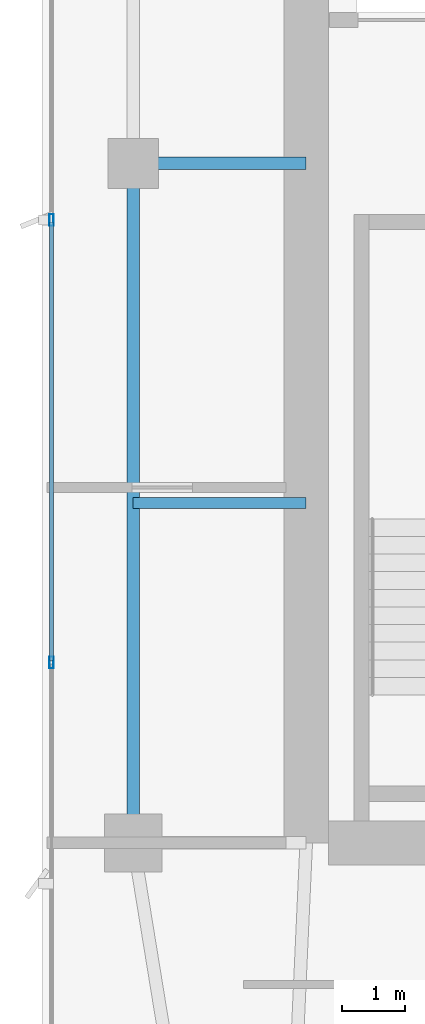
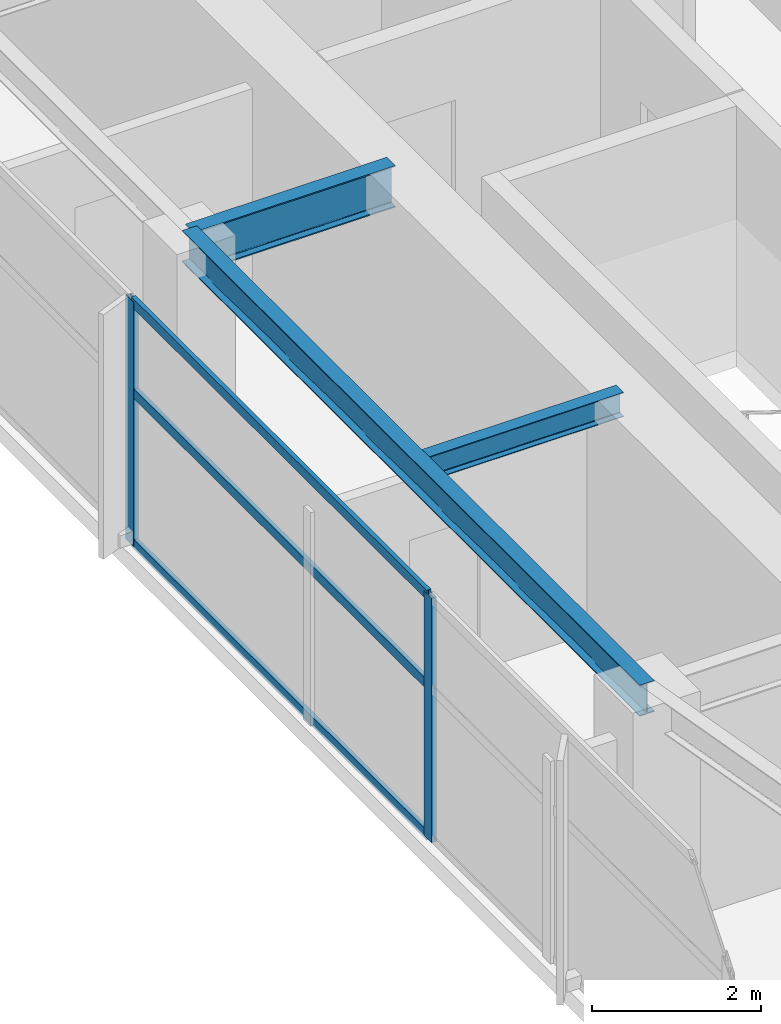
# One storey, part 8 of 27: 5 members, 3 beams, 1 element without a shape of its own.
"""IFC4 building model written with IfcOpenShell, lengths in metres."""

from ifc_helpers import new_model, si_unit, direction, frame, origin, origin_2d, place, context, subcontext, project, spatial, hollow_rectangle, i_section, extrude, material, layer, layer_set, material_profile, profile_set, type_object, element, aggregate, save


model = new_model("IFC4")

# Units and contexts
model_context = context("Model", 3, precision=1e-05, world=origin(), true_north=direction((0.0, 1.0)))
body_context = subcontext(model_context, "Body", "Model", "MODEL_VIEW")
ifc_project = project(units=[si_unit("LENGTHUNIT", "METRE"), si_unit("AREAUNIT", "SQUARE_METRE"), si_unit("VOLUMEUNIT", "CUBIC_METRE"), si_unit("PLANEANGLEUNIT", "RADIAN"), si_unit("MASSUNIT", "GRAM", prefix="KILO")], contexts=[model_context])

# Site, building, storey
site_placement = place(None, origin())
site = spatial("IfcSite", under=ifc_project, at=site_placement, CompositionType="ELEMENT")
building_placement = place(site_placement, origin())
building = spatial("IfcBuilding", under=site, at=building_placement, Name="Calvorn Quay Hotel", CompositionType="ELEMENT")
storey_placement = place(building_placement, frame((0.0, 0.0, 230.699951171875)))
storey = spatial("IfcBuildingStorey", under=building, at=storey_placement, Name="L57", CompositionType="ELEMENT", Elevation=230.699951171875)

# Beams
ifc_material_1 = material(Name="Steel Q355B", Category="steel")
ifc_material_profile_1 = material_profile(ifc_material_1, i_section(OverallWidth=0.199951171875, OverallDepth=0.60009765625, WebThickness=0.010986328125, FlangeThickness=0.01708984375, FilletRadius=0.01806640625, at=origin_2d()), Name="HN600x200x11x17")
ifc_profile_set_1 = profile_set([ifc_material_profile_1], Name="Steel Q355B")
beam_type_1 = type_object("IfcBeamType", Name="BM-GIRD-TYP", PredefinedType="BEAM", material=ifc_profile_set_1)
beam_1_placement = place(storey_placement, frame((1.449951171875, 27.60009765625, 3.219970703125), z_axis=(1.0, 0.0, 0.0), x_axis=(0.0, 1.0, 0.0)))
element("IfcBeam", 1, at=beam_1_placement, inside=storey, type_object=beam_type_1, Name="Beam BG-L57-W2", PredefinedType="BEAM", context=body_context, shape_type="SweptSolid", body=[
    extrude(i_section(OverallWidth=0.199951171875, OverallDepth=0.60009765625, WebThickness=0.010986328125, FlangeThickness=0.01708984375, FilletRadius=0.01806640625, at=origin_2d()), origin(), (0.0, 0.0, 1.0), 2.75),
])
ifc_material_2 = material(Name="Steel Q355B", Category="steel")
ifc_material_profile_2 = material_profile(ifc_material_2, i_section(OverallWidth=0.175048828125, OverallDepth=0.35009765625, WebThickness=0.007080078125, FlangeThickness=0.010986328125, FilletRadius=0.013916015625, at=origin_2d()), Name="HN350x175x7x11")
ifc_profile_set_2 = profile_set([ifc_material_profile_2], Name="Steel Q355B")
beam_type_2 = type_object("IfcBeamType", Name="BM-JOIST-SEC", PredefinedType="JOIST", material=ifc_profile_set_2)
beam_2_placement = place(storey_placement, frame((1.449951171875, 22.199951171875, 3.344970703125), z_axis=(1.0, 0.0, 0.0), x_axis=(0.0, 1.0, 0.0)))
element("IfcBeam", 2, at=beam_2_placement, inside=storey, type_object=beam_type_2, Name="Beam BJ-L57-W3", PredefinedType="JOIST", context=body_context, shape_type="SweptSolid", body=[
    extrude(i_section(OverallWidth=0.175048828125, OverallDepth=0.35009765625, WebThickness=0.007080078125, FlangeThickness=0.010986328125, FilletRadius=0.013916015625, at=origin_2d()), origin(), (0.0, 0.0, 1.0), 2.75),
])
ifc_material_3 = material(Name="Steel Q355B", Category="steel")
ifc_material_profile_3 = material_profile(ifc_material_3, i_section(OverallWidth=0.199951171875, OverallDepth=0.449951171875, WebThickness=0.009033203125, FlangeThickness=0.013916015625, FilletRadius=0.01611328125, at=origin_2d()), Name="HN450x200x9x14")
ifc_profile_set_3 = profile_set([ifc_material_profile_3], Name="Steel Q355B")
beam_type_3 = type_object("IfcBeamType", Name="BM-SPANDREL-Z3", PredefinedType="SPANDREL", material=ifc_profile_set_3)
beam_3_placement = place(storey_placement, frame((1.449951171875, 16.800048828125, 3.295166015625), z_axis=(0.0, 1.0, 0.0), x_axis=(-1.0, 0.0, 0.0)))
element("IfcBeam", 3, at=beam_3_placement, inside=storey, type_object=beam_type_3, Name="Beam BSP-L57-W2", PredefinedType="SPANDREL", context=body_context, shape_type="SweptSolid", body=[
    extrude(i_section(OverallWidth=0.199951171875, OverallDepth=0.449951171875, WebThickness=0.009033203125, FlangeThickness=0.013916015625, FilletRadius=0.01611328125, at=origin_2d()), origin(), (0.0, 0.0, 1.0), 10.800048828125),
])

# Curtain wall, members
ifc_material_4 = material(Name="Champagne Bronze Anodised Aluminium and Low-E Glass", Category="aluminium")
ifc_layer = layer(ifc_material_4, 0.219970703125)
ifc_layer_set = layer_set([ifc_layer], Name="CW-SYS-Z3")
curtain_wall_type = type_object("IfcCurtainWallType", Name="CW-SYS-Z3", PredefinedType="NOTDEFINED", material=ifc_layer_set)
curtain_wall_placement = place(storey_placement, origin())
curtain_wall = element("IfcCurtainWall", 4, at=curtain_wall_placement, inside=storey, type_object=curtain_wall_type, Name="Tower West Curtain Wall (L57)", PredefinedType="NOTDEFINED")
ifc_material_5 = material(Name="Champagne Bronze Anodised Aluminium 6063-T6", Category="aluminium")
ifc_material_profile_4 = material_profile(ifc_material_5, hollow_rectangle(XDim=0.068115234375, YDim=0.18505859375, WallThickness=0.00390625, at=origin_2d()), Name="ALU-M185x68x4")
ifc_profile_set_4 = profile_set([ifc_material_profile_4], Name="Champagne Bronze Anodised Aluminium 6063-T6")
member_type_1 = type_object("IfcMemberType", Name="CW-SYS-Z3-MUL", PredefinedType="MULLION", material=ifc_profile_set_4)
member_1_placement = place(storey_placement, frame((0.14990234375, 19.666748046875, 0.0), z_axis=(0.0, 0.0, 1.0), x_axis=(-1.0, 0.0, 0.0)))
member_1 = element("IfcMember", 5, at=member_1_placement, type_object=member_type_1, Name="CW-L57-W mullion 3", PredefinedType="MULLION", context=body_context, shape_type="SweptSolid", body=[
    extrude(hollow_rectangle(XDim=0.068115234375, YDim=0.18505859375, WallThickness=0.00390625, at=origin_2d()), origin(), (0.0, 0.0, 1.0), 3.52001953125),
])
member_2_placement = place(storey_placement, frame((0.14990234375, 26.699951171875, 0.0), z_axis=(0.0, 0.0, 1.0), x_axis=(-1.0, 0.0, 0.0)))
member_2 = element("IfcMember", 6, at=member_2_placement, type_object=member_type_1, Name="CW-L57-W mullion 4", PredefinedType="MULLION", context=body_context, shape_type="SweptSolid", body=[
    extrude(hollow_rectangle(XDim=0.068115234375, YDim=0.18505859375, WallThickness=0.00390625, at=origin_2d()), origin(), (0.0, 0.0, 1.0), 3.52001953125),
])
ifc_material_6 = material(Name="Champagne Bronze Anodised Aluminium 6063-T6", Category="aluminium")
ifc_material_profile_5 = material_profile(ifc_material_6, hollow_rectangle(XDim=0.05810546875, YDim=0.139892578125, WallThickness=0.003173828125, at=origin_2d()), Name="ALU-T140x58x3.2")
ifc_profile_set_5 = profile_set([ifc_material_profile_5], Name="Champagne Bronze Anodised Aluminium 6063-T6")
member_type_2 = type_object("IfcMemberType", Name="CW-SYS-Z3-TRN", PredefinedType="USERDEFINED", material=ifc_profile_set_5)
member_3_placement = place(storey_placement, frame((0.14990234375, 19.69677734375, 0.030029296875), z_axis=(0.0, 1.0, 0.0), x_axis=(-1.0, 0.0, 0.0)))
member_3 = element("IfcMember", 7, at=member_3_placement, type_object=member_type_2, Name="CW-L57-W transom 3.1", ObjectType="TRANSOM", PredefinedType="USERDEFINED", context=body_context, shape_type="SweptSolid", body=[
    extrude(hollow_rectangle(XDim=0.05810546875, YDim=0.139892578125, WallThickness=0.003173828125, at=origin_2d()), origin(), (0.0, 0.0, 1.0), 6.97314453125),
])
member_4_placement = place(storey_placement, frame((0.14990234375, 19.69677734375, 2.199951171875), z_axis=(0.0, 1.0, 0.0), x_axis=(-1.0, 0.0, 0.0)))
member_4 = element("IfcMember", 8, at=member_4_placement, type_object=member_type_2, Name="CW-L57-W transom 3.2", ObjectType="TRANSOM", PredefinedType="USERDEFINED", context=body_context, shape_type="SweptSolid", body=[
    extrude(hollow_rectangle(XDim=0.05810546875, YDim=0.139892578125, WallThickness=0.003173828125, at=origin_2d()), origin(), (0.0, 0.0, 1.0), 6.97314453125),
])
member_5_placement = place(storey_placement, frame((0.14990234375, 19.69677734375, 3.489990234375), z_axis=(0.0, 1.0, 0.0), x_axis=(-1.0, 0.0, 0.0)))
member_5 = element("IfcMember", 9, at=member_5_placement, type_object=member_type_2, Name="CW-L57-W transom 3.3", ObjectType="TRANSOM", PredefinedType="USERDEFINED", context=body_context, shape_type="SweptSolid", body=[
    extrude(hollow_rectangle(XDim=0.05810546875, YDim=0.139892578125, WallThickness=0.003173828125, at=origin_2d()), origin(), (0.0, 0.0, 1.0), 6.97314453125),
])
aggregate(curtain_wall, [member_1, member_2, member_3, member_4, member_5])

save(model, "model.ifc")
